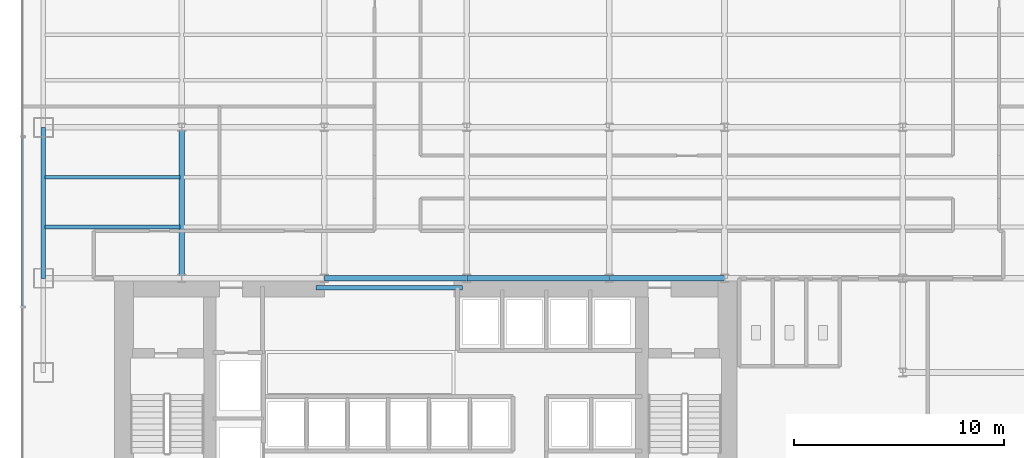
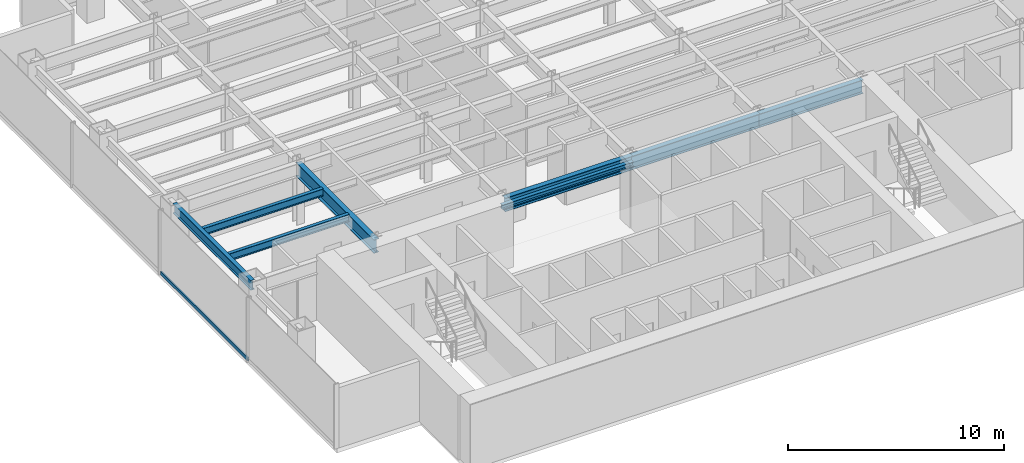
# One storey, part 3 of 22: 8 beams, 1 member, 1 element without a shape of its own.
"""IFC4 building model written with IfcOpenShell, lengths in metres."""

from ifc_helpers import new_model, si_unit, derived_unit, direction, frame, origin, origin_2d, place, context, subcontext, project, spatial, hollow_rectangle, i_section, extrude, source, transform, mapped, material, material_profile, profile_set, type_object, element, aggregate, save


model = new_model("IFC4")

# Units and contexts
model_context = context("Model", 3, precision=1e-05, world=origin(), true_north=direction((0.0, 1.0)))
body_context = subcontext(model_context, "Body", "Model", "MODEL_VIEW")
ifc_project = project(units=[si_unit("LENGTHUNIT", "METRE"), si_unit("AREAUNIT", "SQUARE_METRE"), si_unit("VOLUMEUNIT", "CUBIC_METRE"), si_unit("PLANEANGLEUNIT", "RADIAN"), si_unit("MASSUNIT", "GRAM", prefix="KILO"), derived_unit("THERMALTRANSMITTANCEUNIT", [(si_unit("POWERUNIT", "WATT"), 1), (si_unit("LENGTHUNIT", "METRE"), -2), (si_unit("THERMODYNAMICTEMPERATUREUNIT", "KELVIN"), -1)])], contexts=[model_context])

# Site, building, storey
site_placement = place(None, origin())
site = spatial("IfcSite", under=ifc_project, at=site_placement, CompositionType="ELEMENT")
building_placement = place(site_placement, origin())
building = spatial("IfcBuilding", under=site, at=building_placement, Name="Skarnbrae Concourse Arena and Tower", CompositionType="ELEMENT")
storey_placement = place(building_placement, frame((0.0, 0.0, 39.800048828125)))
storey = spatial("IfcBuildingStorey", under=building, at=storey_placement, Name="L08", CompositionType="ELEMENT", Elevation=39.800048828125)

# Beams
ifc_material_1 = material(Name="Steel CSA G40.21 350W", Category="steel")
ifc_material_profile_1 = material_profile(ifc_material_1, i_section(OverallWidth=0.202880859375, OverallDepth=0.251953125, WebThickness=0.008056640625, FlangeThickness=0.013427734375, at=origin_2d()), Name="W250X58")
ifc_profile_set_1 = profile_set([ifc_material_profile_1], Name="Steel CSA G40.21 350W")
beam_type_1 = type_object("IfcBeamType", Name="BM-LINTEL-W250X58", PredefinedType="LINTEL", material=ifc_profile_set_1)
shared_shape_1 = source(origin(), body_context, "Body", "SweptSolid", [
    extrude(i_section(OverallWidth=0.202880859375, OverallDepth=0.251953125, WebThickness=0.008056640625, FlangeThickness=0.013427734375, at=origin_2d()), origin(), (0.0, 0.0, 1.0), 7.0),
])
beam_1_placement = place(storey_placement, frame((14.0, 13.550048828125, 3.27392578125), z_axis=(1.0, 0.0, 0.0), x_axis=(0.0, 1.0, 0.0)))
element("IfcBeam", 1, at=beam_1_placement, inside=storey, type_object=beam_type_1, Name="L08 Core portal coupling lintel", PredefinedType="LINTEL", context=body_context, shape_type="MappedRepresentation", body=[
    mapped(shared_shape_1, transform((0.0, 0.0, 0.0))),
])
ifc_material_profile_2 = material_profile(ifc_material_1, i_section(OverallWidth=0.26806640625, OverallDepth=0.77001953125, WebThickness=0.015625, FlangeThickness=0.025390625, at=origin_2d()), Name="W760X196")
ifc_profile_set_2 = profile_set([ifc_material_profile_2], Name="Steel CSA G40.21 350W")
beam_type_2 = type_object("IfcBeamType", Name="BM-GIRD-W760X196", PredefinedType="BEAM", material=ifc_profile_set_2)
shared_shape_2 = source(origin(), body_context, "Body", "SweptSolid", [
    extrude(i_section(OverallWidth=0.26806640625, OverallDepth=0.77001953125, WebThickness=0.015625, FlangeThickness=0.025390625, at=origin_2d()), origin(), (0.0, 0.0, 1.0), 6.800048828125),
])
for number, where, z_axis, x_axis, name in (
    (2, (14.39990234375, 14.0, 3.014892578125), (1.0, 0.0, 0.0), (0.0, 1.0, 0.0), "L08 Primary E-W girder Y14.0-3"),
    (3, (21.199951171875, 14.0, 3.014892578125), (1.0, 0.0, 0.0), (0.0, 1.0, 0.0), "L08 Primary E-W girder Y14.0-4"),
):
    element("IfcBeam", number, at=place(storey_placement, frame(where, z_axis=z_axis, x_axis=x_axis)), inside=storey, type_object=beam_type_2, Name=name, PredefinedType="BEAM", context=body_context, shape_type="MappedRepresentation", body=[
        mapped(shared_shape_2, transform((0.0, 0.0, 0.0))),
    ])
shared_shape_3 = source(origin(), body_context, "Body", "SweptSolid", [
    extrude(i_section(OverallWidth=0.26806640625, OverallDepth=0.77001953125, WebThickness=0.015625, FlangeThickness=0.025390625, at=origin_2d()), origin(), (0.0, 0.0, 1.0), 5.5),
])
beam_2_placement = place(storey_placement, frame((28.0, 14.0, 3.014892578125), z_axis=(1.0, 0.0, 0.0), x_axis=(0.0, 1.0, 0.0)))
element("IfcBeam", 4, at=beam_2_placement, inside=storey, type_object=beam_type_2, Name="L08 Primary E-W girder Y14.0-5", PredefinedType="BEAM", context=body_context, shape_type="MappedRepresentation", body=[
    mapped(shared_shape_3, transform((0.0, 0.0, 0.0))),
])
ifc_material_profile_3 = material_profile(ifc_material_1, i_section(OverallWidth=0.214111328125, OverallDepth=0.549072265625, WebThickness=0.0146484375, FlangeThickness=0.023681640625, at=origin_2d()), Name="W530X138")
ifc_profile_set_3 = profile_set([ifc_material_profile_3], Name="Steel CSA G40.21 350W")
beam_type_3 = type_object("IfcBeamType", Name="BM-SPAN-W530X138", PredefinedType="SPANDREL", material=ifc_profile_set_3)
shared_shape_4 = source(origin(), body_context, "Body", "SweptSolid", [
    extrude(i_section(OverallWidth=0.214111328125, OverallDepth=0.549072265625, WebThickness=0.0146484375, FlangeThickness=0.023681640625, at=origin_2d()), origin(), (0.0, 0.0, 1.0), 7.199951171875),
])
beam_3_placement = place(storey_placement, frame((1.0, 14.0, 3.12548828125), z_axis=(0.0, 1.0, 0.0), x_axis=(-1.0, 0.0, 0.0)))
element("IfcBeam", 5, at=beam_3_placement, inside=storey, type_object=beam_type_3, Name="L08 Perimeter spandrel X1.0-2", PredefinedType="SPANDREL", context=body_context, shape_type="MappedRepresentation", body=[
    mapped(shared_shape_4, transform((0.0, 0.0, 0.0))),
])
shared_shape_5 = source(origin(), body_context, "Body", "SweptSolid", [
    extrude(i_section(OverallWidth=0.26806640625, OverallDepth=0.77001953125, WebThickness=0.015625, FlangeThickness=0.025390625, at=origin_2d()), origin(), (0.0, 0.0, 1.0), 7.199951171875),
])
beam_4_placement = place(storey_placement, frame((7.60009765625, 14.0, 3.014892578125), z_axis=(0.0, 1.0, 0.0), x_axis=(-1.0, 0.0, 0.0)))
element("IfcBeam", 6, at=beam_4_placement, inside=storey, type_object=beam_type_2, Name="L08 Primary N-S girder X7.6-1", PredefinedType="BEAM", context=body_context, shape_type="MappedRepresentation", body=[
    mapped(shared_shape_5, transform((0.0, 0.0, 0.0))),
])
ifc_material_profile_4 = material_profile(ifc_material_1, i_section(OverallWidth=0.180908203125, OverallDepth=0.4169921875, WebThickness=0.010986328125, FlangeThickness=0.018310546875, at=origin_2d()), Name="W410X85")
ifc_profile_set_4 = profile_set([ifc_material_profile_4], Name="Steel CSA G40.21 350W")
beam_type_4 = type_object("IfcBeamType", Name="BM-JOIST-W410X85", PredefinedType="JOIST", material=ifc_profile_set_4)
shared_shape_6 = source(origin(), body_context, "Body", "SweptSolid", [
    extrude(i_section(OverallWidth=0.180908203125, OverallDepth=0.4169921875, WebThickness=0.010986328125, FlangeThickness=0.018310546875, at=origin_2d()), origin(), (0.0, 0.0, 1.0), 6.43994140625),
])
for number, where, z_axis, x_axis, name in (
    (7, (1.080078125, 16.447998046875, 3.19140625), (1.0, 0.0, 0.0), (0.0, 1.0, 0.0), "L08 Secondary floor joist 1.1.1"),
    (8, (1.080078125, 18.823974609375, 3.19140625), (1.0, 0.0, 0.0), (0.0, 1.0, 0.0), "L08 Secondary floor joist 1.2.1"),
):
    element("IfcBeam", number, at=place(storey_placement, frame(where, z_axis=z_axis, x_axis=x_axis)), inside=storey, type_object=beam_type_4, Name=name, PredefinedType="JOIST", context=body_context, shape_type="MappedRepresentation", body=[
        mapped(shared_shape_6, transform((0.0, 0.0, 0.0))),
    ])

# Curtain wall, member
ifc_material_2 = material(Name="Bronze anodised aluminium 6063-T6", Category="aluminium")
curtain_wall_type = type_object("IfcCurtainWallType", Name="CW-SYS-02-LOWZONE", PredefinedType="USERDEFINED", material=ifc_material_2)
curtain_wall_placement = place(storey_placement, origin())
curtain_wall = element("IfcCurtainWall", 9, at=curtain_wall_placement, inside=storey, type_object=curtain_wall_type, Name="L08 Unitised curtain wall CW-L08-E19", ObjectType="UNITISED CURTAIN WALL", PredefinedType="USERDEFINED")
ifc_material_profile_5 = material_profile(ifc_material_2, hollow_rectangle(XDim=0.080078125, YDim=0.18994140625, WallThickness=0.0048828125, at=origin_2d()), Name="ALU-TRAN-80X190")
ifc_profile_set_5 = profile_set([ifc_material_profile_5], Name="Bronze anodised aluminium 6063-T6")
member_type = type_object("IfcMemberType", Name="CWT-CW-02", PredefinedType="USERDEFINED", material=ifc_profile_set_5)
shared_shape_7 = source(origin(), body_context, "Body", "SweptSolid", [
    extrude(hollow_rectangle(XDim=0.080078125, YDim=0.18994140625, WallThickness=0.0048828125, at=origin_2d()), origin(), (0.0, 0.0, 1.0), 8.044921875),
])
member_placement = place(storey_placement, frame((0.0, 20.7099609375, 0.094970703125), z_axis=(0.0, -1.0, 0.0), x_axis=(1.0, 0.0, 0.0)))
member = element("IfcMember", 10, at=member_placement, type_object=member_type, Name="CW-L08-E19 Transom 3", ObjectType="TRANSOM", PredefinedType="USERDEFINED", context=body_context, shape_type="MappedRepresentation", body=[
    mapped(shared_shape_7, transform((0.0, 0.0, 0.0))),
])
aggregate(curtain_wall, [member])

save(model, "model.ifc")
